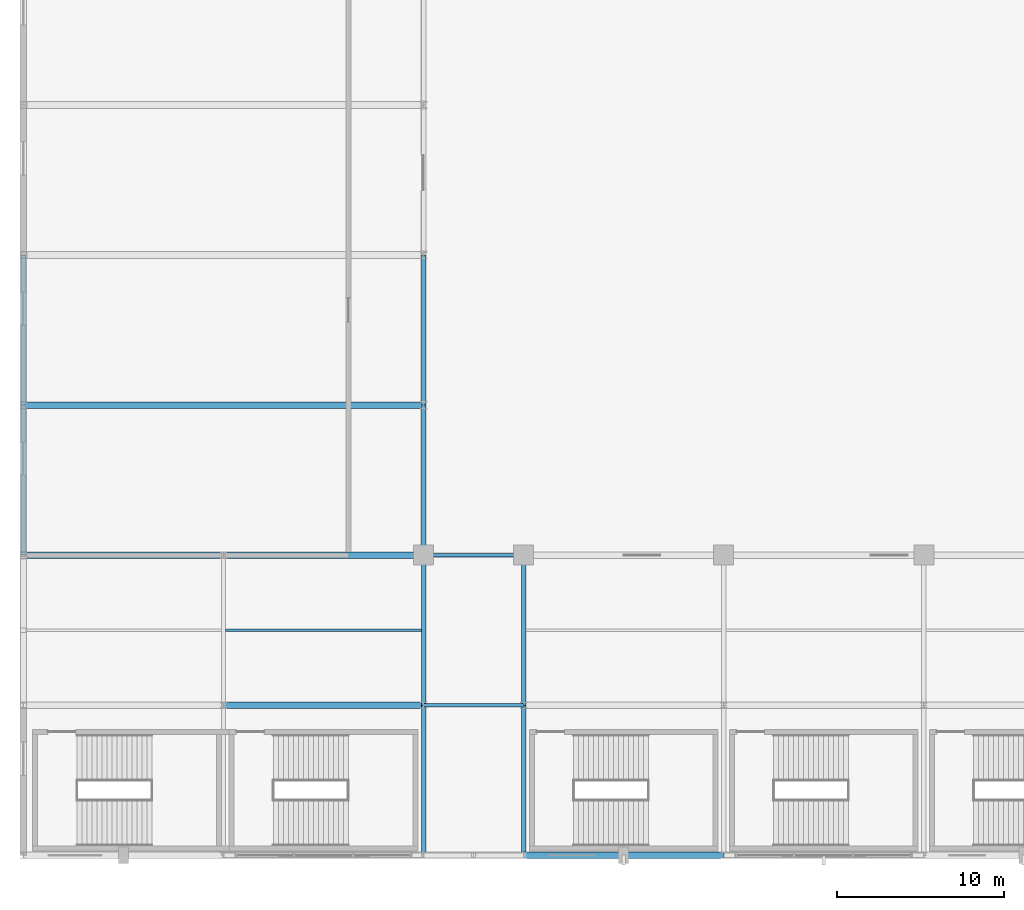
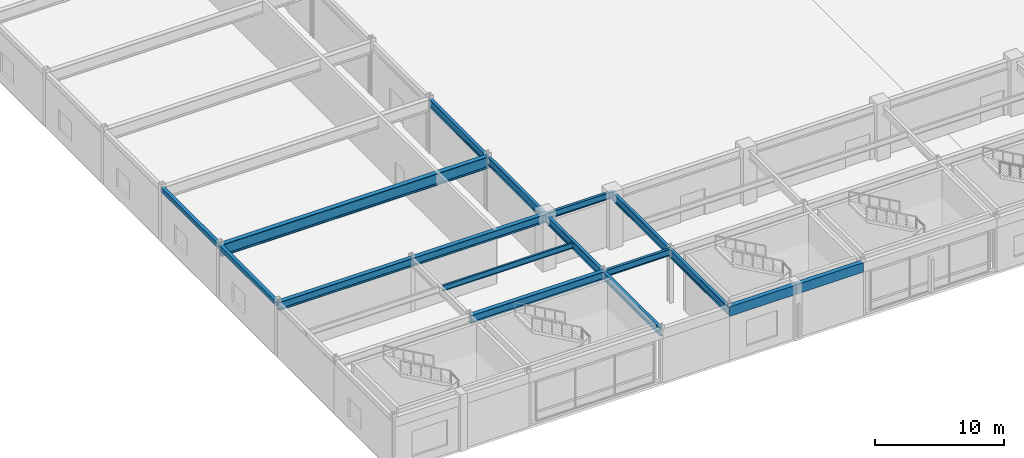
# One storey, part 22 of 100: 17 beams.
"""IFC4 building model written with IfcOpenShell, lengths in metres."""

from ifc_helpers import new_model, si_unit, direction, frame, origin, origin_2d, place, context, subcontext, project, spatial, rectangle, hollow_rectangle, i_section, extrude, material, material_profile, profile_set, type_object, element, save


model = new_model("IFC4")

# Units and contexts
model_context = context("Model", 3, precision=1e-05, world=origin(), true_north=direction((0.0, 1.0)))
body_context = subcontext(model_context, "Body", "Model", "MODEL_VIEW")
ifc_project = project(units=[si_unit("LENGTHUNIT", "METRE"), si_unit("AREAUNIT", "SQUARE_METRE"), si_unit("VOLUMEUNIT", "CUBIC_METRE"), si_unit("PLANEANGLEUNIT", "RADIAN"), si_unit("MASSUNIT", "GRAM", prefix="KILO")], contexts=[model_context])

# Site, building, storey
site_placement = place(None, origin())
site = spatial("IfcSite", under=ifc_project, at=site_placement, CompositionType="ELEMENT")
building_placement = place(site_placement, origin())
building = spatial("IfcBuilding", under=site, at=building_placement, Name="Kaldorvane Square Convention Centre", CompositionType="ELEMENT")
storey_placement = place(building_placement, frame((0.0, 0.0, 18.0)))
storey = spatial("IfcBuildingStorey", under=building, at=storey_placement, Name="L03", CompositionType="ELEMENT", Elevation=18.0)

# Beams
ifc_material_1 = material(Name="Steel ASTM A992 Gr. 50", Category="steel")
ifc_material_profile_1 = material_profile(ifc_material_1, i_section(OverallWidth=0.2303009033203125, OverallDepth=0.61749267578125, WebThickness=0.0131072998046875, FlangeThickness=0.0222015380859375, FilletRadius=0.0126953125, at=origin_2d()), Name="W24X94")
ifc_profile_set_1 = profile_set([ifc_material_profile_1], Name="Steel ASTM A992 Gr. 50")
beam_type_1 = type_object("IfcBeamType", Name="BM-GR-W24X94", PredefinedType="BEAM", material=ifc_profile_set_1)
for number, where, z_axis, x_axis, name in (
    (1, (24.0, 9.0, 4.7671966552734375), (1.0, 0.0, 0.0), (0.0, 1.0, 0.0), "Primary Girder (L03)"),
    (2, (24.0, 18.0, 4.7671966552734375), (1.0, 0.0, 0.0), (0.0, 1.0, 0.0), "Primary Girder (L03)"),
):
    element("IfcBeam", number, at=place(storey_placement, frame(where, z_axis=z_axis, x_axis=x_axis)), inside=storey, type_object=beam_type_1, Name=name, PredefinedType="BEAM", context=body_context, shape_type="SweptSolid", body=[
        extrude(i_section(OverallWidth=0.2303009033203125, OverallDepth=0.61749267578125, WebThickness=0.0131072998046875, FlangeThickness=0.0222015380859375, FilletRadius=0.0126953125, at=origin_2d()), origin(), (0.0, 0.0, 1.0), 6.0),
    ])
ifc_material_profile_2 = material_profile(ifc_material_1, i_section(OverallWidth=0.2666015625, OverallDepth=0.762298583984375, WebThickness=0.014404296875, FlangeThickness=0.0216064453125, FilletRadius=0.0164947509765625, at=origin_2d()), Name="W30X116")
ifc_profile_set_2 = profile_set([ifc_material_profile_2], Name="Steel ASTM A992 Gr. 50")
beam_type_2 = type_object("IfcBeamType", Name="BM-GR-W30X116", PredefinedType="BEAM", material=ifc_profile_set_2)
for number, where, z_axis, x_axis, name in (
    (3, (24.0, 0.0, 4.694793701171875), (0.0, 1.0, 0.0), (-1.0, 0.0, 0.0), "Transverse Girder (L03)"),
    (4, (24.0, 9.0, 4.694793701171875), (0.0, 1.0, 0.0), (-1.0, 0.0, 0.0), "Transverse Girder (L03)"),
    (5, (24.0, 18.0, 4.694793701171875), (0.0, 1.0, 0.0), (-1.0, 0.0, 0.0), "Transverse Girder (L03)"),
    (6, (24.0, 27.0, 4.694793701171875), (0.0, 1.0, 0.0), (-1.0, 0.0, 0.0), "Transverse Girder (L03)"),
    (7, (30.0, 0.0, 4.694793701171875), (0.0, 1.0, 0.0), (-1.0, 0.0, 0.0), "Transverse Girder (L03)"),
    (8, (30.0, 9.0, 4.694793701171875), (0.0, 1.0, 0.0), (-1.0, 0.0, 0.0), "Transverse Girder (L03)"),
):
    element("IfcBeam", number, at=place(storey_placement, frame(where, z_axis=z_axis, x_axis=x_axis)), inside=storey, type_object=beam_type_2, Name=name, PredefinedType="BEAM", context=body_context, shape_type="SweptSolid", body=[
        extrude(i_section(OverallWidth=0.2666015625, OverallDepth=0.762298583984375, WebThickness=0.014404296875, FlangeThickness=0.0216064453125, FilletRadius=0.0164947509765625, at=origin_2d()), origin(), (0.0, 0.0, 1.0), 9.0),
    ])
ifc_material_profile_3 = material_profile(ifc_material_1, i_section(OverallWidth=0.380706787109375, OverallDepth=0.773193359375, WebThickness=0.0166015625, FlangeThickness=0.027099609375, FilletRadius=0.0164947509765625, at=origin_2d()), Name="W30X173")
ifc_profile_set_3 = profile_set([ifc_material_profile_3], Name="Steel ASTM A992 Gr. 50")
beam_type_3 = type_object("IfcBeamType", Name="BM-GR-W30X173", PredefinedType="BEAM", material=ifc_profile_set_3)
for number, where, z_axis, x_axis, name in (
    (9, (12.0, 9.0, 4.6894073486328125), (1.0, 0.0, 0.0), (0.0, 1.0, 0.0), "Primary Girder (L03)"),
    (10, (0.0, 18.0, 4.6894073486328125), (1.0, 0.0, 0.0), (0.0, 1.0, 0.0), "Primary Girder (L03)"),
    (11, (12.0, 18.0, 4.6894073486328125), (1.0, 0.0, 0.0), (0.0, 1.0, 0.0), "Primary Girder (L03)"),
):
    element("IfcBeam", number, at=place(storey_placement, frame(where, z_axis=z_axis, x_axis=x_axis)), inside=storey, type_object=beam_type_3, Name=name, PredefinedType="BEAM", context=body_context, shape_type="SweptSolid", body=[
        extrude(i_section(OverallWidth=0.380706787109375, OverallDepth=0.773193359375, WebThickness=0.0166015625, FlangeThickness=0.027099609375, FilletRadius=0.0164947509765625, at=origin_2d()), origin(), (0.0, 0.0, 1.0), 12.0),
    ])
ifc_material_profile_4 = material_profile(ifc_material_1, i_section(OverallWidth=0.404998779296875, OverallDepth=1.1179962158203125, WebThickness=0.0261993408203125, FlangeThickness=0.0449981689453125, FilletRadius=0.0254058837890625, at=origin_2d()), Name="W44X335")
ifc_profile_set_4 = profile_set([ifc_material_profile_4], Name="Steel ASTM A992 Gr. 50")
beam_type_4 = type_object("IfcBeamType", Name="BM-GR-W44X335", PredefinedType="BEAM", material=ifc_profile_set_4)
beam_1_placement = place(storey_placement, frame((0.0, 27.0, 4.516998291015625), z_axis=(1.0, 0.0, 0.0), x_axis=(0.0, 1.0, 0.0)))
element("IfcBeam", 12, at=beam_1_placement, inside=storey, type_object=beam_type_4, Name="Service Yard Long-Span Girder (L03)", PredefinedType="BEAM", context=body_context, shape_type="SweptSolid", body=[
    extrude(i_section(OverallWidth=0.404998779296875, OverallDepth=1.1179962158203125, WebThickness=0.0261993408203125, FlangeThickness=0.0449981689453125, FilletRadius=0.0254058837890625, at=origin_2d()), origin(), (0.0, 0.0, 1.0), 24.0),
])
ifc_material_profile_5 = material_profile(ifc_material_1, i_section(OverallWidth=0.1658935546875, OverallDepth=0.5290985107421875, WebThickness=0.00970458984375, FlangeThickness=0.0135955810546875, FilletRadius=0.0126953125, at=origin_2d()), Name="W21X50")
ifc_profile_set_5 = profile_set([ifc_material_profile_5], Name="Steel ASTM A992 Gr. 50")
beam_type_5 = type_object("IfcBeamType", Name="BM-JS-W21X50", PredefinedType="JOIST", material=ifc_profile_set_5)
beam_2_placement = place(storey_placement, frame((12.13330078125, 13.5, 4.8114013671875), z_axis=(1.0, 0.0, 0.0), x_axis=(0.0, 1.0, 0.0)))
element("IfcBeam", 13, at=beam_2_placement, inside=storey, type_object=beam_type_5, Name="Secondary Floor Joist (L03)", PredefinedType="JOIST", context=body_context, shape_type="SweptSolid", body=[
    extrude(i_section(OverallWidth=0.1658935546875, OverallDepth=0.5290985107421875, WebThickness=0.00970458984375, FlangeThickness=0.0135955810546875, FilletRadius=0.0126953125, at=origin_2d()), origin(), (0.0, 0.0, 1.0), 11.7333984375),
])
ifc_material_2 = material(Name="Steel ASTM A500 Gr. C", Category="steel")
ifc_material_profile_6 = material_profile(ifc_material_2, hollow_rectangle(XDim=0.3047943115234375, YDim=0.406402587890625, WallThickness=0.0117950439453125, at=origin_2d()), Name="HSS16X12X1/2")
ifc_profile_set_6 = profile_set([ifc_material_profile_6], Name="Steel ASTM A500 Gr. C")
beam_type_6 = type_object("IfcBeamType", Name="BM-SP-HSS16", PredefinedType="SPANDREL", material=ifc_profile_set_6)
for number, where, z_axis, x_axis, name in (
    (14, (0.0, 18.0, 4.872802734375), (0.0, 1.0, 0.0), (-1.0, 0.0, 0.0), "End Spandrel (L03)"),
    (15, (0.0, 27.0, 4.872802734375), (0.0, 1.0, 0.0), (-1.0, 0.0, 0.0), "End Spandrel (L03)"),
):
    element("IfcBeam", number, at=place(storey_placement, frame(where, z_axis=z_axis, x_axis=x_axis)), inside=storey, type_object=beam_type_6, Name=name, PredefinedType="SPANDREL", context=body_context, shape_type="SweptSolid", body=[
        extrude(hollow_rectangle(XDim=0.3047943115234375, YDim=0.406402587890625, WallThickness=0.0117950439453125, at=origin_2d()), origin(), (0.0, 0.0, 1.0), 9.0),
    ])
ifc_material_3 = material(Name="Concrete f'c = 42 MPa (Normalweight)", Category="concrete")
ifc_material_profile_7 = material_profile(ifc_material_3, rectangle(XDim=0.399993896484375, YDim=0.899993896484375, at=origin_2d()), Name="RCSP900X400")
ifc_profile_set_7 = profile_set([ifc_material_profile_7], Name="Concrete f'c = 42 MPa (Normalweight)")
beam_type_7 = type_object("IfcBeamType", Name="BM-SP-RC900", PredefinedType="SPANDREL", material=ifc_profile_set_7)
for number, where, z_axis, x_axis, name in (
    (16, (30.0, 0.0, 4.626007080078125), (1.0, 0.0, 0.0), (0.0, 1.0, 0.0), "Perimeter Spandrel (L03)"),
    (17, (36.0, 0.0, 4.626007080078125), (1.0, 0.0, 0.0), (0.0, 1.0, 0.0), "Perimeter Spandrel (L03)"),
):
    element("IfcBeam", number, at=place(storey_placement, frame(where, z_axis=z_axis, x_axis=x_axis)), inside=storey, type_object=beam_type_7, Name=name, PredefinedType="SPANDREL", context=body_context, shape_type="SweptSolid", body=[
        extrude(rectangle(XDim=0.399993896484375, YDim=0.899993896484375, at=origin_2d()), origin(), (0.0, 0.0, 1.0), 6.0),
    ])

save(model, "model.ifc")
